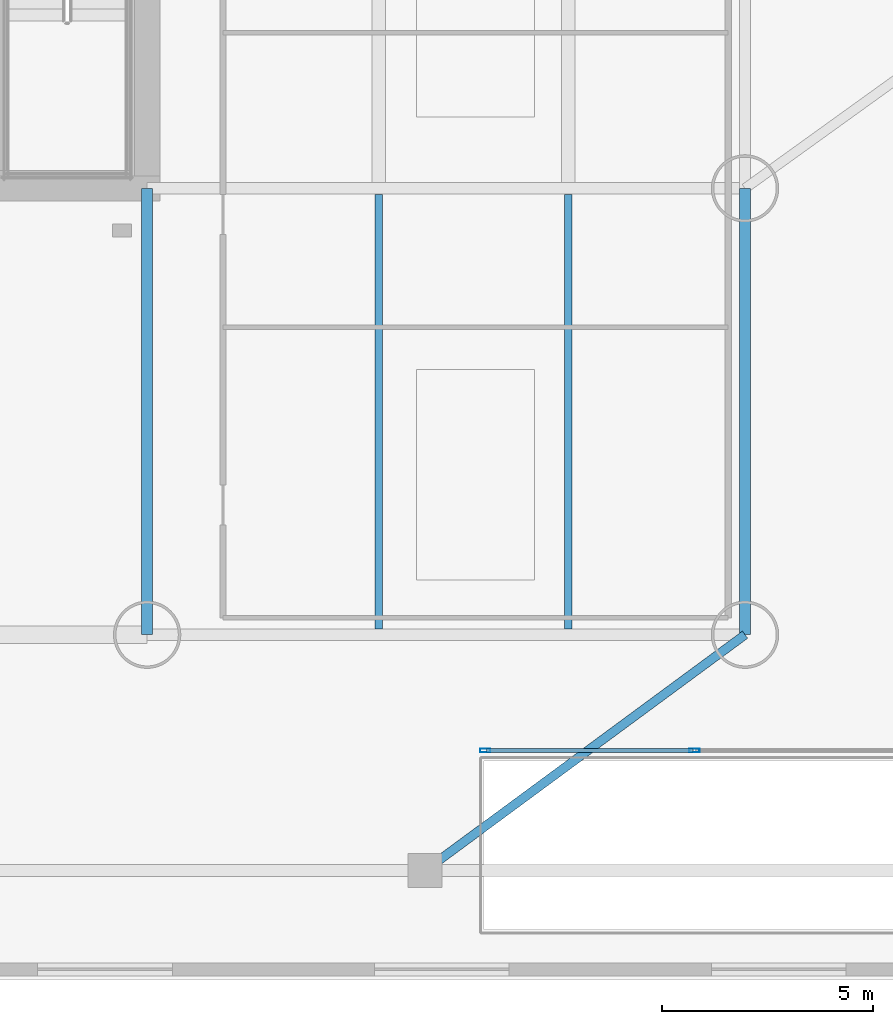
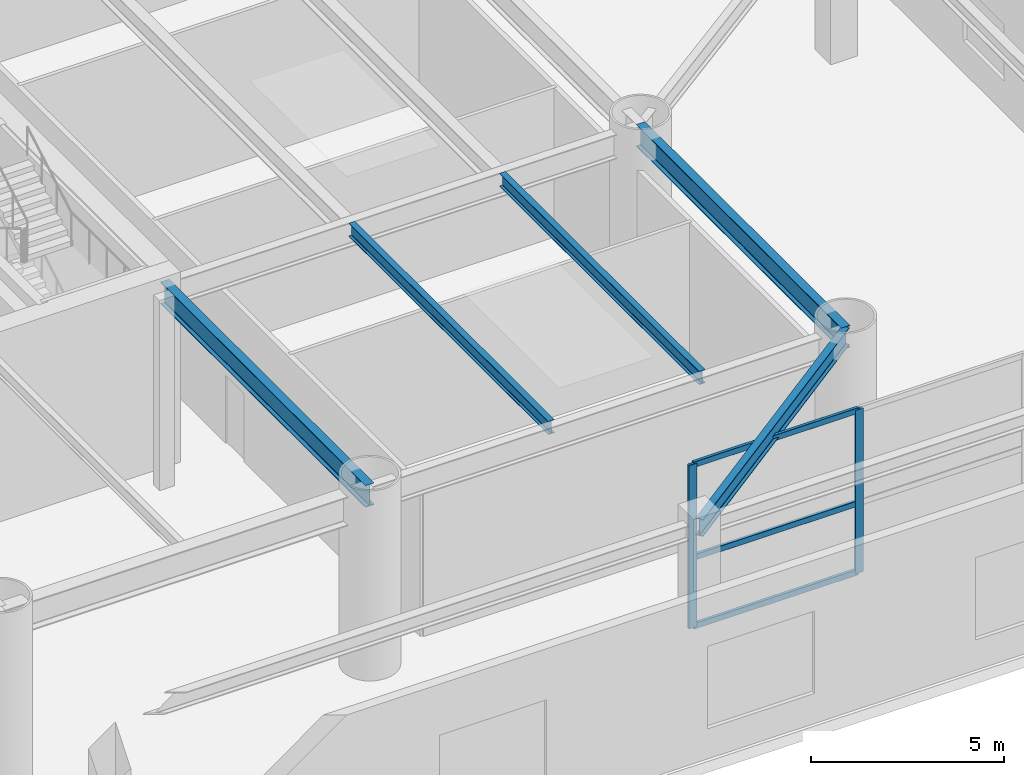
# One storey, part 2 of 17: 5 beams, 5 members, 1 element without a shape of its own.
"""IFC4 building model written with IfcOpenShell, lengths in metres."""

from ifc_helpers import new_model, si_unit, direction, frame, origin, origin_2d, place, context, subcontext, project, spatial, hollow_rectangle, i_section, extrude, material, layer, layer_set, material_profile, profile_set, type_object, element, aggregate, save


model = new_model("IFC4")

# Units and contexts
model_context = context("Model", 3, precision=1e-05, world=origin(), true_north=direction((0.0, 1.0)))
body_context = subcontext(model_context, "Body", "Model", "MODEL_VIEW")
ifc_project = project(units=[si_unit("LENGTHUNIT", "METRE"), si_unit("AREAUNIT", "SQUARE_METRE"), si_unit("VOLUMEUNIT", "CUBIC_METRE"), si_unit("PLANEANGLEUNIT", "RADIAN"), si_unit("MASSUNIT", "GRAM", prefix="KILO")], contexts=[model_context])

# Site, building, storey
site_placement = place(None, origin())
site = spatial("IfcSite", under=ifc_project, at=site_placement, CompositionType="ELEMENT")
building_placement = place(site_placement, origin())
building = spatial("IfcBuilding", under=site, at=building_placement, Name="Bramvorn Convention Spire", CompositionType="ELEMENT")
storey_placement = place(building_placement, frame((0.0, 0.0, 24.0)))
storey = spatial("IfcBuildingStorey", under=building, at=storey_placement, Name="L04", CompositionType="ELEMENT", Elevation=24.0)

# Beams
ifc_material_1 = material(Name="Steel CSA G40.21 Grade 350 (350W)", Category="steel")
ifc_material_profile_1 = material_profile(ifc_material_1, i_section(OverallWidth=0.180908203125, OverallDepth=0.4169921875, WebThickness=0.010986328125, FlangeThickness=0.018310546875, FilletRadius=0.01611328125, at=origin_2d()))
ifc_profile_set_1 = profile_set([ifc_material_profile_1], Name="Steel CSA G40.21 Grade 350 (350W) - W410X85")
beam_type_1 = type_object("IfcBeamType", Name="BM-W410X85", PredefinedType="JOIST", material=ifc_profile_set_1)
for number, where, z_axis, x_axis, name in (
    (1, (54.5, 8.340087890625, 5.44140625), (0.0, 1.0, 0.0), (-1.0, 0.0, 0.0), "L04 side hall joist S-5"),
    (2, (59.0, 8.340087890625, 5.44140625), (0.0, 1.0, 0.0), (-1.0, 0.0, 0.0), "L04 side hall joist S-6"),
):
    element("IfcBeam", number, at=place(storey_placement, frame(where, z_axis=z_axis, x_axis=x_axis)), inside=storey, type_object=beam_type_1, Name=name, PredefinedType="JOIST", context=body_context, shape_type="SweptSolid", body=[
        extrude(i_section(OverallWidth=0.180908203125, OverallDepth=0.4169921875, WebThickness=0.010986328125, FlangeThickness=0.018310546875, FilletRadius=0.01611328125, at=origin_2d()), origin(), (0.0, 0.0, 1.0), 10.31982421875),
    ])
ifc_material_profile_2 = material_profile(ifc_material_1, i_section(OverallWidth=0.2119140625, OverallDepth=0.5439453125, WebThickness=0.01318359375, FlangeThickness=0.021240234375, FilletRadius=0.01904296875, at=origin_2d()))
ifc_profile_set_2 = profile_set([ifc_material_profile_2], Name="Steel CSA G40.21 Grade 350 (350W) - W530X123")
beam_type_2 = type_object("IfcBeamType", Name="BM-W530X123", PredefinedType="BEAM", material=ifc_profile_set_2)
beam_placement = place(storey_placement, frame((55.60009765625, 2.60009765625, 5.3779296875), z_axis=(0.805057787445, 0.593196391488, 0.0), x_axis=(-0.593196391488, 0.805057787445, 0.0)))
element("IfcBeam", 3, at=beam_placement, inside=storey, type_object=beam_type_2, Name="L04 podium primary girder 30", PredefinedType="BEAM", context=body_context, shape_type="SweptSolid", body=[
    extrude(i_section(OverallWidth=0.2119140625, OverallDepth=0.5439453125, WebThickness=0.01318359375, FlangeThickness=0.021240234375, FilletRadius=0.01904296875, at=origin_2d()), origin(), (0.0, 0.0, 1.0), 9.440185546875),
])
ifc_material_profile_3 = material_profile(ifc_material_1, i_section(OverallWidth=0.256103515625, OverallDepth=0.693115234375, WebThickness=0.014404296875, FlangeThickness=0.023681640625, FilletRadius=0.02197265625, at=origin_2d()))
ifc_profile_set_3 = profile_set([ifc_material_profile_3], Name="Steel CSA G40.21 Grade 350 (350W) - W690X170")
beam_type_3 = type_object("IfcBeamType", Name="BM-W690X170", PredefinedType="BEAM", material=ifc_profile_set_3)
for number, where, z_axis, x_axis, name in (
    (4, (63.199951171875, 8.199951171875, 5.303466796875), (0.0, 1.0, 0.0), (-1.0, 0.0, 0.0), "L04 podium primary girder 15"),
    (5, (49.0, 8.199951171875, 5.303466796875), (0.0, 1.0, 0.0), (-1.0, 0.0, 0.0), "L04 podium primary girder 23"),
):
    element("IfcBeam", number, at=place(storey_placement, frame(where, z_axis=z_axis, x_axis=x_axis)), inside=storey, type_object=beam_type_3, Name=name, PredefinedType="BEAM", context=body_context, shape_type="SweptSolid", body=[
        extrude(i_section(OverallWidth=0.256103515625, OverallDepth=0.693115234375, WebThickness=0.014404296875, FlangeThickness=0.023681640625, FilletRadius=0.02197265625, at=origin_2d()), origin(), (0.0, 0.0, 1.0), 10.60009765625),
    ])

# Curtain wall, members
ifc_material_2 = material(Name="Anodised Bronze Unitised Curtain Wall", Category="aluminium")
ifc_layer = layer(ifc_material_2, 0.219970703125)
ifc_layer_set = layer_set([ifc_layer], Name="Anodised Bronze Unitised Curtain Wall - CW-POD-LANCET")
curtain_wall_type = type_object("IfcCurtainWallType", Name="CW-POD-LANCET", PredefinedType="USERDEFINED", material=ifc_layer_set)
curtain_wall_placement = place(storey_placement, origin())
curtain_wall = element("IfcCurtainWall", 6, at=curtain_wall_placement, inside=storey, type_object=curtain_wall_type, Name="L04 SE colonnade lancet curtain wall", ObjectType="UNITISED CURTAIN WALL", PredefinedType="USERDEFINED")
ifc_material_3 = material(Name="Anodised Bronze Aluminium 6063-T6", Category="aluminium")
ifc_material_profile_4 = material_profile(ifc_material_3, hollow_rectangle(XDim=0.090087890625, YDim=0.239990234375, WallThickness=0.00439453125, InnerFilletRadius=0.0009765625, OuterFilletRadius=0.00439453125, at=origin_2d()))
ifc_profile_set_4 = profile_set([ifc_material_profile_4], Name="Anodised Bronze Aluminium 6063-T6 - CWM90X240")
member_type_1 = type_object("IfcMemberType", Name="CW-MUL-220", PredefinedType="MULLION", material=ifc_profile_set_4)
member_1_placement = place(storey_placement, frame((57.030029296875, 5.449951171875, 0.0), z_axis=(0.0, 0.0, 1.0), x_axis=(0.0, 1.0, 0.0)))
member_1 = element("IfcMember", 7, at=member_1_placement, type_object=member_type_1, Name="CW1 mullion 1", PredefinedType="MULLION", context=body_context, shape_type="SweptSolid", body=[
    extrude(hollow_rectangle(XDim=0.090087890625, YDim=0.239990234375, WallThickness=0.00439453125, InnerFilletRadius=0.0009765625, OuterFilletRadius=0.00439453125, at=origin_2d()), origin(), (0.0, 0.0, 1.0), 5.159912109375),
])
member_2_placement = place(storey_placement, frame((62.0, 5.449951171875, 0.0), z_axis=(0.0, 0.0, 1.0), x_axis=(0.0, 1.0, 0.0)))
member_2 = element("IfcMember", 8, at=member_2_placement, type_object=member_type_1, Name="CW1 mullion 2", PredefinedType="MULLION", context=body_context, shape_type="SweptSolid", body=[
    extrude(hollow_rectangle(XDim=0.090087890625, YDim=0.239990234375, WallThickness=0.00439453125, InnerFilletRadius=0.0009765625, OuterFilletRadius=0.00439453125, at=origin_2d()), origin(), (0.0, 0.0, 1.0), 5.159912109375),
])
ifc_material_profile_5 = material_profile(ifc_material_3, hollow_rectangle(XDim=0.090087890625, YDim=0.179931640625, WallThickness=0.00439453125, InnerFilletRadius=0.0009765625, OuterFilletRadius=0.00439453125, at=origin_2d()))
ifc_profile_set_5 = profile_set([ifc_material_profile_5], Name="Anodised Bronze Aluminium 6063-T6 - CWT90X180")
member_type_2 = type_object("IfcMemberType", Name="CW-TRN-180", PredefinedType="USERDEFINED", material=ifc_profile_set_5)
member_3_placement = place(storey_placement, frame((57.06005859375, 5.449951171875, 0.030029296875), z_axis=(1.0, 0.0, 0.0), x_axis=(0.0, 1.0, 0.0)))
member_3 = element("IfcMember", 9, at=member_3_placement, type_object=member_type_2, Name="CW1 transom 1.1", ObjectType="TRANSOM", PredefinedType="USERDEFINED", context=body_context, shape_type="SweptSolid", body=[
    extrude(hollow_rectangle(XDim=0.090087890625, YDim=0.179931640625, WallThickness=0.00439453125, InnerFilletRadius=0.0009765625, OuterFilletRadius=0.00439453125, at=origin_2d()), origin(), (0.0, 0.0, 1.0), 4.909912109375),
])
member_4_placement = place(storey_placement, frame((57.06005859375, 5.449951171875, 2.199951171875), z_axis=(1.0, 0.0, 0.0), x_axis=(0.0, 1.0, 0.0)))
member_4 = element("IfcMember", 10, at=member_4_placement, type_object=member_type_2, Name="CW1 transom 1.2", ObjectType="TRANSOM", PredefinedType="USERDEFINED", context=body_context, shape_type="SweptSolid", body=[
    extrude(hollow_rectangle(XDim=0.090087890625, YDim=0.179931640625, WallThickness=0.00439453125, InnerFilletRadius=0.0009765625, OuterFilletRadius=0.00439453125, at=origin_2d()), origin(), (0.0, 0.0, 1.0), 4.909912109375),
])
member_5_placement = place(storey_placement, frame((57.06005859375, 5.449951171875, 5.1298828125), z_axis=(1.0, 0.0, 0.0), x_axis=(0.0, 1.0, 0.0)))
member_5 = element("IfcMember", 11, at=member_5_placement, type_object=member_type_2, Name="CW1 transom 1.3", ObjectType="TRANSOM", PredefinedType="USERDEFINED", context=body_context, shape_type="SweptSolid", body=[
    extrude(hollow_rectangle(XDim=0.090087890625, YDim=0.179931640625, WallThickness=0.00439453125, InnerFilletRadius=0.0009765625, OuterFilletRadius=0.00439453125, at=origin_2d()), origin(), (0.0, 0.0, 1.0), 4.909912109375),
])
aggregate(curtain_wall, [member_1, member_2, member_3, member_4, member_5])

save(model, "model.ifc")
